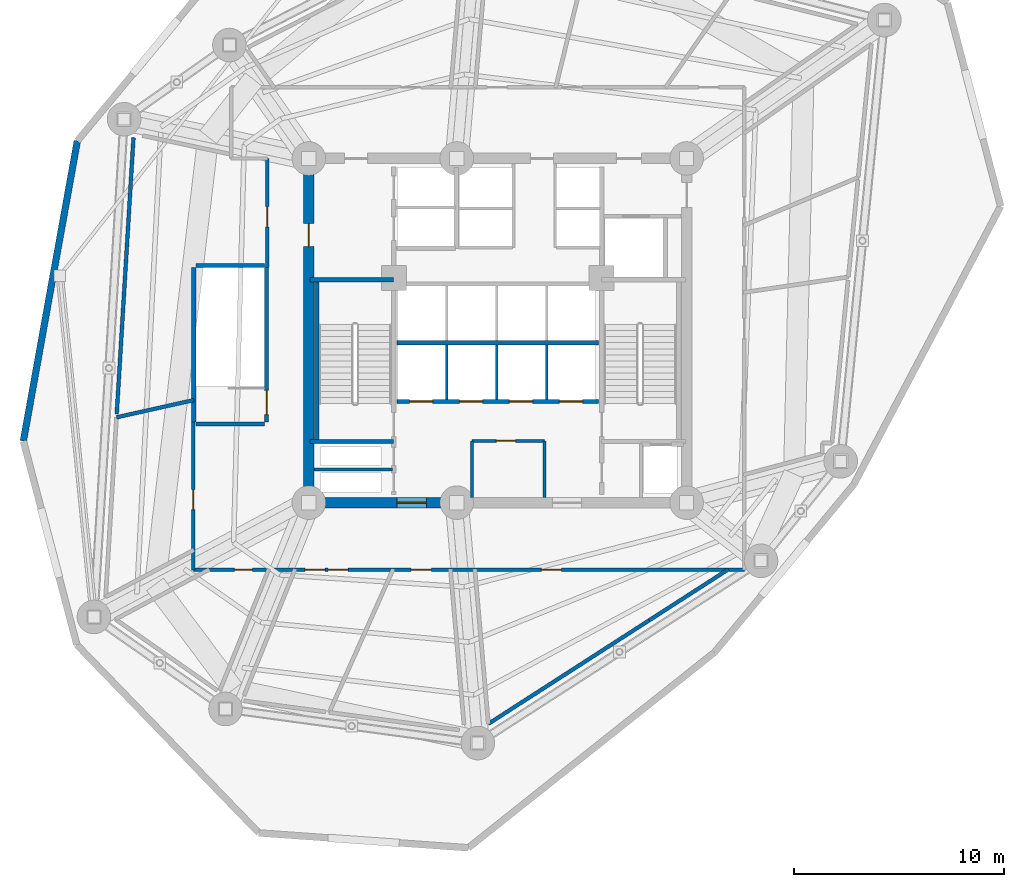
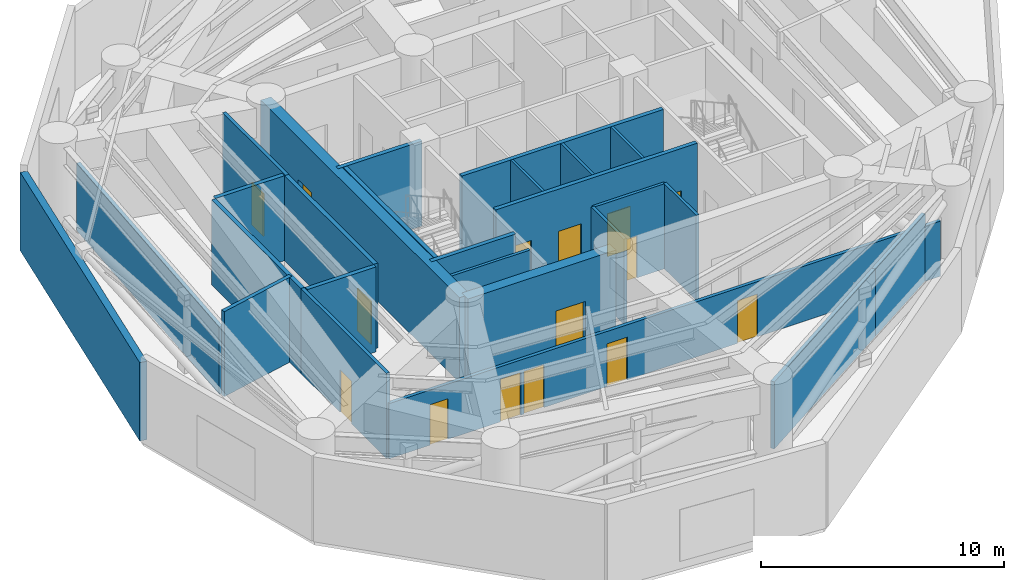
# One storey, part 7 of 13: 26 walls, 15 doors, 15 openings.
"""IFC4 building model written with IfcOpenShell, lengths in metres."""

from ifc_helpers import new_model, si_unit, direction, frame, frame_2d, origin, origin_with_axes, place, context, subcontext, project, spatial, rectangle, extrude, source, transform, mapped, material, layer, layer_set, type_object, element, fill, save


model = new_model("IFC4")

# Units and contexts
model_context = context("Model", 3, precision=1e-05, world=origin(), true_north=direction((0.0, 1.0)))
body_context = subcontext(model_context, "Body", "Model", "MODEL_VIEW")
ifc_project = project(units=[si_unit("LENGTHUNIT", "METRE"), si_unit("AREAUNIT", "SQUARE_METRE"), si_unit("VOLUMEUNIT", "CUBIC_METRE"), si_unit("PLANEANGLEUNIT", "RADIAN"), si_unit("MASSUNIT", "GRAM", prefix="KILO")], contexts=[model_context])

# Site, building, storey
site_placement = place(None, origin())
site = spatial("IfcSite", under=ifc_project, at=site_placement, CompositionType="ELEMENT")
building_placement = place(site_placement, origin())
building = spatial("IfcBuilding", under=site, at=building_placement, Name="Karkom Vertical University and Central Library", CompositionType="ELEMENT")
storey_placement = place(building_placement, frame((0.0, 0.0, 87.699951171875)))
storey = spatial("IfcBuildingStorey", under=building, at=storey_placement, Name="P23", CompositionType="ELEMENT", Elevation=87.699951171875)

# Wall
ifc_material_1 = material(Name="Brick-faced precast concrete C45/55", Category="masonry")
ifc_layer_1 = layer(ifc_material_1, 0.320068359375)
ifc_layer_set_1 = layer_set([ifc_layer_1], Name="Brick-faced precast concrete C45/55")
wall_type_1 = type_object("IfcWallType", Name="ENV-WL-BRK-320", PredefinedType="SOLIDWALL", material=ifc_layer_set_1)
wall_1_placement = place(storey_placement, frame((8.46826171875, 35.5419921875, 0.0), z_axis=(0.0, 0.0, 1.0), x_axis=(-0.177029052054, -0.984205626243, 0.0)))
element("IfcWall", 1, at=wall_1_placement, inside=storey, type_object=wall_type_1, Name="Plant Level 23 Brick-Faced Precast Facade Wall 02", PredefinedType="SOLIDWALL", context=body_context, shape_type="SweptSolid", body=[
    extrude(rectangle(XDim=14.53857421875, YDim=0.320068359375, at=frame_2d((7.269287109375, 0.0))), origin(), (0.0, 0.0, 1.0), 3.945068359375),
])

# Wall, openings, doors
ifc_material_2 = material(Name="Insulated metal-stud drywall 160mm", Category="gypsum")
ifc_layer_2 = layer(ifc_material_2, 0.159912109375)
ifc_layer_set_2 = layer_set([ifc_layer_2], Name="Insulated metal-stud drywall 160mm")
wall_type_2 = type_object("IfcWallType", Name="INT-WL-COR-160F", PredefinedType="PARTITIONING", material=ifc_layer_set_2)
wall_2_placement = place(storey_placement, frame((40.25, 15.10009765625, 0.0), z_axis=(0.0, 0.0, 1.0), x_axis=(-1.0, 0.0, 0.0)))
wall_2 = element("IfcWall", 2, at=wall_2_placement, inside=storey, type_object=wall_type_2, Name="Plant Level 23 Interior Partition Wall P23-PCORW-CW-001", PredefinedType="PARTITIONING", context=body_context, shape_type="SweptSolid", body=[
    extrude(rectangle(XDim=26.25, YDim=0.159912109375, at=frame_2d((13.125, 0.0))), origin(), (0.0, 0.0, 1.0), 2.775146484375),
])
opening_1_placement = place(wall_2_placement, frame((8.71240234375, 0.0, 0.0)))
opening_1 = element("IfcOpeningElement", 3, at=opening_1_placement, cuts=wall_2, Name="Opening FD-RM1", PredefinedType="OPENING", context=body_context, shape_type="SweptSolid", body=[
    extrude(rectangle(XDim=0.9599609375, YDim=2.14990234375, at=frame_2d((0.47998046875, 1.074951171875))), frame((0.0, 0.08984375, 0.0), z_axis=(0.0, -1.0, 0.0), x_axis=(1.0, 0.0, 0.0)), (0.0, 0.0, 1.0), 0.179931640625),
])
opening_2_placement = place(wall_2_placement, frame((19.97705078125, 0.0, 0.0)))
opening_2 = element("IfcOpeningElement", 4, at=opening_2_placement, cuts=wall_2, Name="Opening FD-RM1", PredefinedType="OPENING", context=body_context, shape_type="SweptSolid", body=[
    extrude(rectangle(XDim=0.9599609375, YDim=2.14990234375, at=frame_2d((0.47998046875, 1.074951171875))), frame((0.0, 0.08984375, 0.0), z_axis=(0.0, -1.0, 0.0), x_axis=(1.0, 0.0, 0.0)), (0.0, 0.0, 1.0), 0.179931640625),
])
opening_3_placement = place(wall_2_placement, frame((18.87255859375, 0.0, 0.0)))
opening_3 = element("IfcOpeningElement", 5, at=opening_3_placement, cuts=wall_2, Name="Opening FD-RM1", PredefinedType="OPENING", context=body_context, shape_type="SweptSolid", body=[
    extrude(rectangle(XDim=0.9599609375, YDim=2.14990234375, at=frame_2d((0.47998046875, 1.074951171875))), frame((0.0, 0.08984375, 0.0), z_axis=(0.0, -1.0, 0.0), x_axis=(1.0, 0.0, 0.0)), (0.0, 0.0, 1.0), 0.179931640625),
])
opening_4_placement = place(wall_2_placement, frame((14.914306640625, 0.0, 0.0)))
opening_4 = element("IfcOpeningElement", 6, at=opening_4_placement, cuts=wall_2, Name="Opening FD-RM1", PredefinedType="OPENING", context=body_context, shape_type="SweptSolid", body=[
    extrude(rectangle(XDim=0.9599609375, YDim=2.14990234375, at=frame_2d((0.47998046875, 1.074951171875))), frame((0.0, 0.08984375, 0.0), z_axis=(0.0, -1.0, 0.0), x_axis=(1.0, 0.0, 0.0)), (0.0, 0.0, 1.0), 0.179931640625),
])
opening_5_placement = place(wall_2_placement, frame((23.4404296875, 0.0, 0.0)))
opening_5 = element("IfcOpeningElement", 7, at=opening_5_placement, cuts=wall_2, Name="Opening FD-BTH2", PredefinedType="OPENING", context=body_context, shape_type="SweptSolid", body=[
    extrude(rectangle(XDim=0.860107421875, YDim=2.0400390625, at=frame_2d((0.43017578125, 1.02001953125))), frame((0.0, 0.08984375, 0.0), z_axis=(0.0, -1.0, 0.0), x_axis=(1.0, 0.0, 0.0)), (0.0, 0.0, 1.0), 0.179931640625),
])
ifc_material_3 = material(Name="Fire-rated oak veneer door", Category="wood")
door_type_1 = type_object("IfcDoorType", Name="INT-DR-FRM1", OperationType="NOTDEFINED", PredefinedType="DOOR", material=ifc_material_3)
shared_shape_1 = source(origin_with_axes(), body_context, "Body", "SweptSolid", [
    extrude(rectangle(XDim=0.9599609375, YDim=2.14990234375, at=frame_2d((0.47998046875, 1.074951171875))), frame((0.0, 0.02490234375, 0.0), z_axis=(0.0, -1.0, 0.0), x_axis=(1.0, 0.0, 0.0)), (0.0, 0.0, 1.0), 0.050048828125),
])
door_1_placement = place(opening_1_placement, origin())
door_1 = element("IfcDoor", 8, at=door_1_placement, inside=storey, type_object=door_type_1, Name="Plant Level 23 Room Entry Door 704", OperationType="SINGLE_SWING_LEFT", OverallHeight=2.14990234375, OverallWidth=0.9599609375, PredefinedType="DOOR", context=body_context, shape_type="MappedRepresentation", body=[
    mapped(shared_shape_1, transform((0.0, 0.0, 0.0), scale=1.0)),
])
fill(opening_1, door_1)
door_2_placement = place(opening_2_placement, origin())
door_2 = element("IfcDoor", 9, at=door_2_placement, inside=storey, type_object=door_type_1, Name="Plant Level 23 Room Entry Door 701", OperationType="SINGLE_SWING_LEFT", OverallHeight=2.14990234375, OverallWidth=0.9599609375, PredefinedType="DOOR", context=body_context, shape_type="MappedRepresentation", body=[
    mapped(shared_shape_1, transform((0.0, 0.0, 0.0), scale=1.0)),
])
fill(opening_2, door_2)
door_3_placement = place(opening_3_placement, origin())
door_3 = element("IfcDoor", 10, at=door_3_placement, inside=storey, type_object=door_type_1, Name="Plant Level 23 Room Entry Door 702", OperationType="SINGLE_SWING_RIGHT", OverallHeight=2.14990234375, OverallWidth=0.9599609375, PredefinedType="DOOR", context=body_context, shape_type="MappedRepresentation", body=[
    mapped(shared_shape_1, transform((0.0, 0.0, 0.0), scale=1.0)),
])
fill(opening_3, door_3)
door_4_placement = place(opening_4_placement, origin())
door_4 = element("IfcDoor", 11, at=door_4_placement, inside=storey, type_object=door_type_1, Name="Plant Level 23 Room Entry Door 703", OperationType="SINGLE_SWING_LEFT", OverallHeight=2.14990234375, OverallWidth=0.9599609375, PredefinedType="DOOR", context=body_context, shape_type="MappedRepresentation", body=[
    mapped(shared_shape_1, transform((0.0, 0.0, 0.0), scale=1.0)),
])
fill(opening_4, door_4)
ifc_material_4 = material(Name="Fire-rated moisture-resistant oak door", Category="wood")
door_type_2 = type_object("IfcDoorType", Name="INT-DR-FBTH2", OperationType="NOTDEFINED", PredefinedType="DOOR", material=ifc_material_4)
shared_shape_2 = source(origin_with_axes(), body_context, "Body", "SweptSolid", [
    extrude(rectangle(XDim=0.860107421875, YDim=2.0400390625, at=frame_2d((0.43017578125, 1.02001953125))), frame((0.0, 0.02490234375, 0.0), z_axis=(0.0, -1.0, 0.0), x_axis=(1.0, 0.0, 0.0)), (0.0, 0.0, 1.0), 0.050048828125),
])
door_5_placement = place(opening_5_placement, origin())
door_5 = element("IfcDoor", 12, at=door_5_placement, inside=storey, type_object=door_type_2, Name="Plant Level 23 Air Handling Unit Plant Room Entry Door", OperationType="SINGLE_SWING_RIGHT", OverallHeight=2.0400390625, OverallWidth=0.860107421875, PredefinedType="DOOR", context=body_context, shape_type="MappedRepresentation", body=[
    mapped(shared_shape_2, transform((0.0, 0.0, 0.0), scale=1.0)),
])
fill(opening_5, door_5)

# Wall, opening, door
wall_3_placement = place(storey_placement, frame((14.0, 15.10009765625, 0.0), z_axis=(0.0, 0.0, 1.0), x_axis=(0.0, 1.0, 0.0)))
wall_3 = element("IfcWall", 13, at=wall_3_placement, inside=storey, type_object=wall_type_2, Name="Plant Level 23 Interior Partition Wall P23-PCORW-CW-002", PredefinedType="PARTITIONING", context=body_context, shape_type="SweptSolid", body=[
    extrude(rectangle(XDim=7.044921875, YDim=0.159912109375, at=frame_2d((3.5224609375, 0.0))), origin(), (0.0, 0.0, 1.0), 4.275146484375),
])
opening_6_placement = place(wall_3_placement, frame((2.864990234375, 0.0, 0.0)))
opening_6 = element("IfcOpeningElement", 14, at=opening_6_placement, cuts=wall_3, Name="Opening FD-RM1", PredefinedType="OPENING", context=body_context, shape_type="SweptSolid", body=[
    extrude(rectangle(XDim=0.9599609375, YDim=2.14990234375, at=frame_2d((0.47998046875, 1.074951171875))), frame((0.0, 0.08984375, 0.0), z_axis=(0.0, -1.0, 0.0), x_axis=(1.0, 0.0, 0.0)), (0.0, 0.0, 1.0), 0.179931640625),
])
door_6_placement = place(opening_6_placement, origin())
door_6 = element("IfcDoor", 15, at=door_6_placement, inside=storey, type_object=door_type_1, Name="Plant Level 23 Room Entry Door 700", OperationType="SINGLE_SWING_RIGHT", OverallHeight=2.14990234375, OverallWidth=0.9599609375, PredefinedType="DOOR", context=body_context, shape_type="MappedRepresentation", body=[
    mapped(shared_shape_1, transform((0.0, 0.0, 0.0), scale=1.0)),
])
fill(opening_6, door_6)

wall_4_placement = place(storey_placement, frame((17.52001953125, 29.5048828125, 0.0), z_axis=(0.0, 0.0, 1.0), x_axis=(0.0, 1.0, 0.0)))
wall_4 = element("IfcWall", 16, at=wall_4_placement, inside=storey, type_object=wall_type_2, Name="Plant Level 23 Interior Partition Wall P23-PCORW-CW-003", PredefinedType="PARTITIONING", context=body_context, shape_type="SweptSolid", body=[
    extrude(rectangle(XDim=5.195068359375, YDim=0.159912109375, at=frame_2d((2.59765625, 0.0))), origin(), (0.0, 0.0, 1.0), 4.275146484375),
])
opening_7_placement = place(wall_4_placement, frame((1.93994140625, 0.0, 0.0)))
opening_7 = element("IfcOpeningElement", 17, at=opening_7_placement, cuts=wall_4, Name="Opening FD-RM1", PredefinedType="OPENING", context=body_context, shape_type="SweptSolid", body=[
    extrude(rectangle(XDim=0.9599609375, YDim=2.14990234375, at=frame_2d((0.47998046875, 1.074951171875))), frame((0.0, 0.08984375, 0.0), z_axis=(0.0, -1.0, 0.0), x_axis=(1.0, 0.0, 0.0)), (0.0, 0.0, 1.0), 0.179931640625),
])
door_7_placement = place(opening_7_placement, origin())
door_7 = element("IfcDoor", 18, at=door_7_placement, inside=storey, type_object=door_type_1, Name="Plant Level 23 Room Entry Door 712", OperationType="SINGLE_SWING_LEFT", OverallHeight=2.14990234375, OverallWidth=0.9599609375, PredefinedType="DOOR", context=body_context, shape_type="MappedRepresentation", body=[
    mapped(shared_shape_1, transform((0.0, 0.0, 0.0), scale=1.0)),
])
fill(opening_7, door_7)

# Walls
ifc_material_5 = material(Name="Moisture-resistant drywall 120mm", Category="gypsum")
ifc_layer_3 = layer(ifc_material_5, 0.1201171875)
ifc_layer_set_3 = layer_set([ifc_layer_3], Name="Moisture-resistant drywall 120mm")
wall_type_3 = type_object("IfcWallType", Name="INT-WL-INT-120H", PredefinedType="PARTITIONING", material=ifc_layer_set_3)
for number, where, z_axis, x_axis, name in (
    (19, (26.080078125, 23.219970703125, 0.0), (0.0, 0.0, 1.0), (0.0, 1.0, 0.0), "Plant Level 23 Interior Partition Wall P23-CW-PL-DIV1"),
    (20, (28.4599609375, 23.219970703125, 0.0), (0.0, 0.0, 1.0), (0.0, 1.0, 0.0), "Plant Level 23 Interior Partition Wall P23-CW-PL-DIV2"),
    (21, (30.840087890625, 23.219970703125, 0.0), (0.0, 0.0, 1.0), (0.0, 1.0, 0.0), "Plant Level 23 Interior Partition Wall P23-CW-PL-DIV3"),
):
    element("IfcWall", number, at=place(storey_placement, frame(where, z_axis=z_axis, x_axis=x_axis)), inside=storey, type_object=wall_type_3, Name=name, PredefinedType="PARTITIONING", context=body_context, shape_type="SweptSolid", body=[
        extrude(rectangle(XDim=2.60009765625, YDim=0.1201171875, at=frame_2d((1.300048828125, 0.0))), origin(), (0.0, 0.0, 1.0), 4.275146484375),
    ])

# Wall, opening, door
ifc_material_6 = material(Name="Metal-stud gypsum partition 140mm", Category="gypsum")
ifc_layer_4 = layer(ifc_material_6, 0.139892578125)
ifc_layer_set_4 = layer_set([ifc_layer_4], Name="Metal-stud gypsum partition 140mm")
wall_type_4 = type_object("IfcWallType", Name="INT-WL-SUB-140", PredefinedType="PARTITIONING", material=ifc_layer_set_4)
wall_5_placement = place(storey_placement, frame((27.280029296875, 21.239990234375, 0.0), z_axis=(0.0, 0.0, 1.0), x_axis=(1.0, 0.0, 0.0)))
wall_5 = element("IfcWall", 22, at=wall_5_placement, inside=storey, type_object=wall_type_4, Name="Plant Level 23 Interior Partition Wall P23-CW-KBAY-N", PredefinedType="PARTITIONING", context=body_context, shape_type="SweptSolid", body=[
    extrude(rectangle(XDim=3.43994140625, YDim=0.139892578125, at=frame_2d((1.719970703125, 0.0))), origin(), (0.0, 0.0, 1.0), 4.275146484375),
])
opening_8_placement = place(wall_5_placement, frame((1.14990234375, 0.0, 0.0)))
opening_8 = element("IfcOpeningElement", 23, at=opening_8_placement, cuts=wall_5, Name="Opening D-SVC1", PredefinedType="OPENING", context=body_context, shape_type="SweptSolid", body=[
    extrude(rectangle(XDim=0.919921875, YDim=2.10009765625, at=frame_2d((0.4599609375, 1.050048828125))), frame((0.0, 0.080078125, 0.0), z_axis=(0.0, -1.0, 0.0), x_axis=(1.0, 0.0, 0.0)), (0.0, 0.0, 1.0), 0.159912109375),
])
ifc_material_7 = material(Name="Painted timber service door", Category="wood")
door_type_3 = type_object("IfcDoorType", Name="INT-DR-SVC1", OperationType="NOTDEFINED", PredefinedType="DOOR", material=ifc_material_7)
shared_shape_3 = source(origin_with_axes(), body_context, "Body", "SweptSolid", [
    extrude(rectangle(XDim=0.919921875, YDim=2.10009765625, at=frame_2d((0.4599609375, 1.050048828125))), frame((0.0, 0.02490234375, 0.0), z_axis=(0.0, -1.0, 0.0), x_axis=(1.0, 0.0, 0.0)), (0.0, 0.0, 1.0), 0.050048828125),
])
door_8_placement = place(opening_8_placement, origin())
door_8 = element("IfcDoor", 24, at=door_8_placement, inside=storey, type_object=door_type_3, Name="Plant Level 23 Comms Room Door", OperationType="SINGLE_SWING_RIGHT", OverallHeight=2.10009765625, OverallWidth=0.919921875, PredefinedType="DOOR", context=body_context, shape_type="MappedRepresentation", body=[
    mapped(shared_shape_3, transform((0.0, 0.0, 0.0), scale=1.0)),
])
fill(opening_8, door_8)

# Walls
for number, where, z_axis, x_axis, name in (
    (25, (27.280029296875, 18.550048828125, 0.0), (0.0, 0.0, 1.0), (0.0, 1.0, 0.0), "Plant Level 23 Interior Partition Wall P23-CW-KBAY-W"),
    (26, (30.719970703125, 18.550048828125, 0.0), (0.0, 0.0, 1.0), (0.0, 1.0, 0.0), "Plant Level 23 Interior Partition Wall P23-CW-KBAY-E"),
):
    element("IfcWall", number, at=place(storey_placement, frame(where, z_axis=z_axis, x_axis=x_axis)), inside=storey, type_object=wall_type_4, Name=name, PredefinedType="PARTITIONING", context=body_context, shape_type="SweptSolid", body=[
        extrude(rectangle(XDim=2.68994140625, YDim=0.139892578125, at=frame_2d((1.344970703125, 0.0))), origin(), (0.0, 0.0, 1.0), 4.275146484375),
    ])
ifc_layer_5 = layer(ifc_material_6, 0.139892578125)
ifc_layer_set_5 = layer_set([ifc_layer_5], Name="Metal-stud gypsum partition 140mm")
wall_type_5 = type_object("IfcWallType", Name="INT-WL-SUB-140H", PredefinedType="PARTITIONING", material=ifc_layer_set_5)
wall_6_placement = place(storey_placement, frame((19.757080078125, 19.889892578125, 0.0), z_axis=(0.0, 0.0, 1.0), x_axis=(1.0, 0.0, 0.0)))
element("IfcWall", 27, at=wall_6_placement, inside=storey, type_object=wall_type_5, Name="Plant Level 23 Interior Partition Wall P23-CW-RIS-W", PredefinedType="PARTITIONING", context=body_context, shape_type="SweptSolid", body=[
    extrude(rectangle(XDim=3.7392578125, YDim=0.139892578125, at=frame_2d((1.86962890625, 0.0))), origin(), (0.0, 0.0, 1.0), 4.275146484375),
])
ifc_material_8 = material(Name="Twin-stud acoustic drywall 180mm", Category="gypsum")
ifc_layer_6 = layer(ifc_material_8, 0.179931640625)
ifc_layer_set_6 = layer_set([ifc_layer_6], Name="Twin-stud acoustic drywall 180mm")
wall_type_6 = type_object("IfcWallType", Name="INT-WL-TEN-180F", PredefinedType="PARTITIONING", material=ifc_layer_set_6)
wall_7_placement = place(storey_placement, frame((10.34619140625, 22.5322265625, 0.0), z_axis=(0.0, 0.0, 1.0), x_axis=(0.060558802641, 0.998164631422, 0.0)))
element("IfcWall", 28, at=wall_7_placement, inside=storey, type_object=wall_type_6, Name="Plant Level 23 Interior Partition Wall P23-PLCHW-040", PredefinedType="PARTITIONING", context=body_context, shape_type="SweptSolid", body=[
    extrude(rectangle(XDim=13.182861328125, YDim=0.179931640625, at=frame_2d((6.59130859375, 0.0))), origin(), (0.0, 0.0, 1.0), 3.375),
])
wall_8_placement = place(storey_placement, frame((35.715087890625, 12.693115234375, 0.0), z_axis=(0.0, 0.0, 1.0), x_axis=(-0.840859678973, -0.541253175767, 0.0)))
element("IfcWall", 29, at=wall_8_placement, inside=storey, type_object=wall_type_6, Name="Plant Level 23 Interior Partition Wall P23-PLCHW-014", PredefinedType="PARTITIONING", context=body_context, shape_type="SweptSolid", body=[
    extrude(rectangle(XDim=9.111083984375, YDim=0.179931640625, at=frame_2d((4.5556640625, 0.0))), origin(), (0.0, 0.0, 1.0), 3.375),
])
wall_9_placement = place(storey_placement, frame((39.491943359375, 15.124267578125, 0.0), z_axis=(0.0, 0.0, 1.0), x_axis=(-0.840856911957, -0.541257474419, 0.0)))
element("IfcWall", 30, at=wall_9_placement, inside=storey, type_object=wall_type_6, Name="Plant Level 23 Interior Partition Wall P23-PLCHW-013", PredefinedType="PARTITIONING", context=body_context, shape_type="SweptSolid", body=[
    extrude(rectangle(XDim=4.49169921875, YDim=0.179931640625, at=frame_2d((2.245849609375, 0.0))), origin(), (0.0, 0.0, 1.0), 3.375),
])
wall_10_placement = place(storey_placement, frame((10.336181640625, 22.365966796875, 0.0), z_axis=(0.0, 0.0, 1.0), x_axis=(0.976004273592, 0.21775136723, 0.0)))
element("IfcWall", 31, at=wall_10_placement, inside=storey, type_object=wall_type_6, Name="Plant Level 23 Interior Partition Wall P23-PLCHW-003", PredefinedType="PARTITIONING", context=body_context, shape_type="SweptSolid", body=[
    extrude(rectangle(XDim=3.7783203125, YDim=0.179931640625, at=frame_2d((1.88916015625, 0.0))), origin(), (0.0, 0.0, 1.0), 4.275146484375),
])

# Wall, opening, door
ifc_material_9 = material(Name="Concrete C50/60", Category="concrete")
ifc_layer_7 = layer(ifc_material_9, 0.5)
ifc_layer_set_7 = layer_set([ifc_layer_7], Name="Concrete C50/60")
wall_type_7 = type_object("IfcWallType", Name="STR-WL-CW-500", PredefinedType="SHEAR", material=ifc_layer_set_7)
wall_11_placement = place(storey_placement, frame((19.5, 18.300048828125, 0.0), z_axis=(0.0, 0.0, 1.0), x_axis=(1.0, 0.0, 0.0)))
wall_11 = element("IfcWall", 32, at=wall_11_placement, inside=storey, type_object=wall_type_7, Name="Plant Level 23 Central Core Shear Wall SW1", PredefinedType="SHEAR", context=body_context, shape_type="SweptSolid", body=[
    extrude(rectangle(XDim=7.050048828125, YDim=0.5, at=frame_2d((3.52490234375, 0.0))), origin(), (0.0, 0.0, 1.0), 4.275146484375),
])
opening_9_placement = place(wall_11_placement, frame((4.199951171875, 0.0, 0.0)))
opening_9 = element("IfcOpeningElement", 33, at=opening_9_placement, cuts=wall_11, Name="Opening FD-CLB", PredefinedType="OPENING", context=body_context, shape_type="SweptSolid", body=[
    extrude(rectangle(XDim=1.39990234375, YDim=2.199951171875, at=frame_2d((0.699951171875, 1.10009765625))), frame((0.0, 0.260009765625, 0.0), z_axis=(0.0, -1.0, 0.0), x_axis=(1.0, 0.0, 0.0)), (0.0, 0.0, 1.0), 0.52001953125),
])
ifc_material_10 = material(Name="Painted steel fire door", Category="steel")
door_type_4 = type_object("IfcDoorType", Name="INT-DR-CLB", OperationType="DOUBLE_DOOR_SINGLE_SWING", PredefinedType="DOOR", material=ifc_material_10)
shared_shape_4 = source(origin_with_axes(), body_context, "Body", "SweptSolid", [
    extrude(rectangle(XDim=1.39990234375, YDim=2.199951171875, at=frame_2d((0.699951171875, 1.10009765625))), frame((0.0, 0.02490234375, 0.0), z_axis=(0.0, -1.0, 0.0), x_axis=(1.0, 0.0, 0.0)), (0.0, 0.0, 1.0), 0.050048828125),
])
door_9_placement = place(opening_9_placement, origin())
door_9 = element("IfcDoor", 34, at=door_9_placement, inside=storey, type_object=door_type_4, Name="Plant Level 23 South Core Lobby West Exit Door", OperationType="DOUBLE_DOOR_SINGLE_SWING", OverallHeight=2.199951171875, OverallWidth=1.39990234375, PredefinedType="DOOR", context=body_context, shape_type="MappedRepresentation", body=[
    mapped(shared_shape_4, transform((0.0, 0.0, 0.0), scale=1.0)),
])
fill(opening_9, door_9)

wall_12_placement = place(storey_placement, frame((19.5, 34.699951171875, 0.0), z_axis=(0.0, 0.0, 1.0), x_axis=(0.0, -1.0, 0.0)))
wall_12 = element("IfcWall", 35, at=wall_12_placement, inside=storey, type_object=wall_type_7, Name="Plant Level 23 Central Core Shear Wall WW", PredefinedType="SHEAR", context=body_context, shape_type="SweptSolid", body=[
    extrude(rectangle(XDim=16.39990234375, YDim=0.5, at=frame_2d((8.199951171875, 0.0))), origin(), (0.0, 0.0, 1.0), 4.275146484375),
])
opening_10_placement = place(wall_12_placement, frame((3.10009765625, 0.0, 0.0)))
opening_10 = element("IfcOpeningElement", 36, at=opening_10_placement, cuts=wall_12, Name="Opening FD-FFL", PredefinedType="OPENING", context=body_context, shape_type="SweptSolid", body=[
    extrude(rectangle(XDim=1.10009765625, YDim=2.14990234375, at=frame_2d((0.550048828125, 1.074951171875))), frame((0.0, 0.260009765625, 0.0), z_axis=(0.0, -1.0, 0.0), x_axis=(1.0, 0.0, 0.0)), (0.0, 0.0, 1.0), 0.52001953125),
])
ifc_material_11 = material(Name="Painted steel smoke-seal fire door", Category="steel")
door_type_5 = type_object("IfcDoorType", Name="INT-DR-FFL", OperationType="NOTDEFINED", PredefinedType="DOOR", material=ifc_material_11)
shared_shape_5 = source(origin_with_axes(), body_context, "Body", "SweptSolid", [
    extrude(rectangle(XDim=1.10009765625, YDim=2.14990234375, at=frame_2d((0.550048828125, 1.074951171875))), frame((0.0, 0.02490234375, 0.0), z_axis=(0.0, -1.0, 0.0), x_axis=(1.0, 0.0, 0.0)), (0.0, 0.0, 1.0), 0.050048828125),
])
door_10_placement = place(opening_10_placement, origin())
door_10 = element("IfcDoor", 37, at=door_10_placement, inside=storey, type_object=door_type_5, Name="Plant Level 23 West Corridor Firefighting Lobby Door", OperationType="SINGLE_SWING_RIGHT", OverallHeight=2.14990234375, OverallWidth=1.10009765625, PredefinedType="DOOR", context=body_context, shape_type="MappedRepresentation", body=[
    mapped(shared_shape_5, transform((0.0, 0.0, 0.0), scale=1.0)),
])
fill(opening_10, door_10)

# Wall, openings, doors
ifc_material_12 = material(Name="Concrete C45/55", Category="concrete")
ifc_layer_8 = layer(ifc_material_12, 0.199951171875)
ifc_layer_set_8 = layer_set([ifc_layer_8], Name="Concrete C45/55")
wall_type_8 = type_object("IfcWallType", Name="STR-WL-ST-200", PredefinedType="SHEAR", material=ifc_layer_set_8)
wall_13_placement = place(storey_placement, frame((23.699951171875, 23.1201171875, 0.0), z_axis=(0.0, 0.0, 1.0), x_axis=(1.0, 0.0, 0.0)))
wall_13 = element("IfcWall", 38, at=wall_13_placement, inside=storey, type_object=wall_type_8, Name="Plant Level 23 Core Shaft Wall P23-CW-B1-S", PredefinedType="SHEAR", context=body_context, shape_type="SweptSolid", body=[
    extrude(rectangle(XDim=9.60009765625, YDim=0.199951171875, at=frame_2d((4.800048828125, 0.0))), origin(), (0.0, 0.0, 1.0), 4.275146484375),
])
opening_11_placement = place(wall_13_placement, frame((0.60009765625, 0.0, 0.0)))
opening_11 = element("IfcOpeningElement", 39, at=opening_11_placement, cuts=wall_13, Name="Opening LD-PAX", PredefinedType="OPENING", context=body_context, shape_type="SweptSolid", body=[
    extrude(rectangle(XDim=1.10009765625, YDim=2.14990234375, at=frame_2d((0.550048828125, 1.074951171875))), frame((0.0, 0.10986328125, 0.0), z_axis=(0.0, -1.0, 0.0), x_axis=(1.0, 0.0, 0.0)), (0.0, 0.0, 1.0), 0.219970703125),
])
opening_12_placement = place(wall_13_placement, frame((2.97998046875, 0.0, 0.0)))
opening_12 = element("IfcOpeningElement", 40, at=opening_12_placement, cuts=wall_13, Name="Opening LD-PAX", PredefinedType="OPENING", context=body_context, shape_type="SweptSolid", body=[
    extrude(rectangle(XDim=1.10009765625, YDim=2.14990234375, at=frame_2d((0.550048828125, 1.074951171875))), frame((0.0, 0.10986328125, 0.0), z_axis=(0.0, -1.0, 0.0), x_axis=(1.0, 0.0, 0.0)), (0.0, 0.0, 1.0), 0.219970703125),
])
opening_13_placement = place(wall_13_placement, frame((5.360107421875, 0.0, 0.0)))
opening_13 = element("IfcOpeningElement", 41, at=opening_13_placement, cuts=wall_13, Name="Opening LD-PAX", PredefinedType="OPENING", context=body_context, shape_type="SweptSolid", body=[
    extrude(rectangle(XDim=1.10009765625, YDim=2.14990234375, at=frame_2d((0.550048828125, 1.074951171875))), frame((0.0, 0.10986328125, 0.0), z_axis=(0.0, -1.0, 0.0), x_axis=(1.0, 0.0, 0.0)), (0.0, 0.0, 1.0), 0.219970703125),
])
opening_14_placement = place(wall_13_placement, frame((7.739990234375, 0.0, 0.0)))
opening_14 = element("IfcOpeningElement", 42, at=opening_14_placement, cuts=wall_13, Name="Opening LD-PAX", PredefinedType="OPENING", context=body_context, shape_type="SweptSolid", body=[
    extrude(rectangle(XDim=1.10009765625, YDim=2.14990234375, at=frame_2d((0.550048828125, 1.074951171875))), frame((0.0, 0.10986328125, 0.0), z_axis=(0.0, -1.0, 0.0), x_axis=(1.0, 0.0, 0.0)), (0.0, 0.0, 1.0), 0.219970703125),
])
ifc_material_13 = material(Name="Brushed stainless-steel landing door", Category="steel")
door_type_6 = type_object("IfcDoorType", Name="INT-DR-LD-PAX", OperationType="SLIDING_TO_LEFT", PredefinedType="DOOR", material=ifc_material_13)
door_11_placement = place(opening_11_placement, origin())
door_11 = element("IfcDoor", 43, at=door_11_placement, inside=storey, type_object=door_type_6, Name="Plant Level 23 Lift PL-1 Landing Door", OperationType="SLIDING_TO_LEFT", OverallHeight=2.14990234375, OverallWidth=1.10009765625, PredefinedType="DOOR", context=body_context, shape_type="MappedRepresentation", body=[
    mapped(shared_shape_5, transform((0.0, 0.0, 0.0), scale=1.0)),
])
fill(opening_11, door_11)
door_12_placement = place(opening_12_placement, origin())
door_12 = element("IfcDoor", 44, at=door_12_placement, inside=storey, type_object=door_type_6, Name="Plant Level 23 Lift PL-2 Landing Door", OperationType="SLIDING_TO_RIGHT", OverallHeight=2.14990234375, OverallWidth=1.10009765625, PredefinedType="DOOR", context=body_context, shape_type="MappedRepresentation", body=[
    mapped(shared_shape_5, transform((0.0, 0.0, 0.0), scale=1.0)),
])
fill(opening_12, door_12)
door_13_placement = place(opening_13_placement, origin())
door_13 = element("IfcDoor", 45, at=door_13_placement, inside=storey, type_object=door_type_6, Name="Plant Level 23 Lift PL-3 Landing Door", OperationType="SLIDING_TO_LEFT", OverallHeight=2.14990234375, OverallWidth=1.10009765625, PredefinedType="DOOR", context=body_context, shape_type="MappedRepresentation", body=[
    mapped(shared_shape_5, transform((0.0, 0.0, 0.0), scale=1.0)),
])
fill(opening_13, door_13)
door_14_placement = place(opening_14_placement, origin())
door_14 = element("IfcDoor", 46, at=door_14_placement, inside=storey, type_object=door_type_6, Name="Plant Level 23 Lift PL-4 Landing Door", OperationType="SLIDING_TO_RIGHT", OverallHeight=2.14990234375, OverallWidth=1.10009765625, PredefinedType="DOOR", context=body_context, shape_type="MappedRepresentation", body=[
    mapped(shared_shape_5, transform((0.0, 0.0, 0.0), scale=1.0)),
])
fill(opening_14, door_14)

# Walls
wall_14_placement = place(storey_placement, frame((23.699951171875, 25.919921875, 0.0), z_axis=(0.0, 0.0, 1.0), x_axis=(1.0, 0.0, 0.0)))
element("IfcWall", 47, at=wall_14_placement, inside=storey, type_object=wall_type_8, Name="Plant Level 23 Core Shaft Wall P23-CW-B1-N", PredefinedType="SHEAR", context=body_context, shape_type="SweptSolid", body=[
    extrude(rectangle(XDim=9.60009765625, YDim=0.199951171875, at=frame_2d((4.800048828125, 0.0))), origin(), (0.0, 0.0, 1.0), 4.275146484375),
])
wall_15_placement = place(storey_placement, frame((19.875, 21.320068359375, 0.0), z_axis=(0.0, 0.0, 1.0), x_axis=(0.0, 1.0, 0.0)))
element("IfcWall", 48, at=wall_15_placement, inside=storey, type_object=wall_type_8, Name="Plant Level 23 Core Shaft Wall P23-CW-ST1-W", PredefinedType="SHEAR", context=body_context, shape_type="SweptSolid", body=[
    extrude(rectangle(XDim=7.5, YDim=0.199951171875, at=frame_2d((3.75, 0.0))), origin(), (0.0, 0.0, 1.0), 4.275146484375),
])
wall_16_placement = place(storey_placement, frame((14.014892578125, 22.14990234375, 0.0), z_axis=(0.0, 0.0, 1.0), x_axis=(0.0, 1.0, 0.0)))
element("IfcWall", 49, at=wall_16_placement, inside=storey, type_object=wall_type_8, Name="Plant Level 23 Core Shaft Wall P23-W-ST3-W", PredefinedType="SHEAR", context=body_context, shape_type="SweptSolid", body=[
    extrude(rectangle(XDim=7.35009765625, YDim=0.199951171875, at=frame_2d((3.675048828125, 0.0))), origin(), (0.0, 0.0, 1.0), 4.275146484375),
])

# Wall, opening, door
wall_17_placement = place(storey_placement, frame((17.485107421875, 22.14990234375, 0.0), z_axis=(0.0, 0.0, 1.0), x_axis=(0.0, 1.0, 0.0)))
wall_17 = element("IfcWall", 50, at=wall_17_placement, inside=storey, type_object=wall_type_8, Name="Plant Level 23 Core Shaft Wall P23-W-ST3-E", PredefinedType="SHEAR", context=body_context, shape_type="SweptSolid", body=[
    extrude(rectangle(XDim=7.35009765625, YDim=0.199951171875, at=frame_2d((3.675048828125, 0.0))), origin(), (0.0, 0.0, 1.0), 4.275146484375),
])
opening_15_placement = place(wall_17_placement, frame((0.35009765625, 0.0, 0.0)))
opening_15 = element("IfcOpeningElement", 51, at=opening_15_placement, cuts=wall_17, Name="Opening FD-ST1", PredefinedType="OPENING", context=body_context, shape_type="SweptSolid", body=[
    extrude(rectangle(XDim=1.14990234375, YDim=2.14990234375, at=frame_2d((0.574951171875, 1.074951171875))), frame((0.0, 0.10986328125, 0.0), z_axis=(0.0, -1.0, 0.0), x_axis=(1.0, 0.0, 0.0)), (0.0, 0.0, 1.0), 0.219970703125),
])
ifc_material_14 = material(Name="Painted steel acoustic fire door", Category="steel")
door_type_7 = type_object("IfcDoorType", Name="INT-DR-ST1", OperationType="NOTDEFINED", PredefinedType="DOOR", material=ifc_material_14)
shared_shape_6 = source(origin_with_axes(), body_context, "Body", "SweptSolid", [
    extrude(rectangle(XDim=1.14990234375, YDim=2.14990234375, at=frame_2d((0.574951171875, 1.074951171875))), frame((0.0, 0.02490234375, 0.0), z_axis=(0.0, -1.0, 0.0), x_axis=(1.0, 0.0, 0.0)), (0.0, 0.0, 1.0), 0.050048828125),
])
door_15_placement = place(opening_15_placement, origin())
door_15 = element("IfcDoor", 52, at=door_15_placement, inside=storey, type_object=door_type_7, Name="Plant Level 23 Stair ST-3 Fire Door", OperationType="SINGLE_SWING_RIGHT", OverallHeight=2.14990234375, OverallWidth=1.14990234375, PredefinedType="DOOR", context=body_context, shape_type="MappedRepresentation", body=[
    mapped(shared_shape_6, transform((0.0, 0.0, 0.0), scale=1.0)),
])
fill(opening_15, door_15)

# Walls
for number, where, z_axis, x_axis, name in (
    (53, (19.550048828125, 21.215087890625, 0.0), (0.0, 0.0, 1.0), (1.0, 0.0, 0.0), "Plant Level 23 Core Shaft Wall P23-CW-ST1-S"),
    (54, (19.550048828125, 28.925048828125, 0.0), (0.0, 0.0, 1.0), (1.0, 0.0, 0.0), "Plant Level 23 Core Shaft Wall P23-CW-ST1-N"),
):
    element("IfcWall", number, at=place(storey_placement, frame(where, z_axis=z_axis, x_axis=x_axis)), inside=storey, type_object=wall_type_8, Name=name, PredefinedType="SHEAR", context=body_context, shape_type="SweptSolid", body=[
        extrude(rectangle(XDim=3.994873046875, YDim=0.199951171875, at=frame_2d((1.99755859375, 0.0))), origin(), (0.0, 0.0, 1.0), 4.275146484375),
    ])
for number, where, z_axis, x_axis, name in (
    (55, (14.1201171875, 22.044921875, 0.0), (0.0, 0.0, 1.0), (1.0, 0.0, 0.0), "Plant Level 23 Core Shaft Wall P23-W-ST3-S"),
    (56, (14.1201171875, 29.60498046875, 0.0), (0.0, 0.0, 1.0), (1.0, 0.0, 0.0), "Plant Level 23 Core Shaft Wall P23-W-ST3-N"),
):
    element("IfcWall", number, at=place(storey_placement, frame(where, z_axis=z_axis, x_axis=x_axis)), inside=storey, type_object=wall_type_8, Name=name, PredefinedType="SHEAR", context=body_context, shape_type="SweptSolid", body=[
        extrude(rectangle(XDim=3.259765625, YDim=0.199951171875, at=frame_2d((1.6298828125, 0.0))), origin(), (0.0, 0.0, 1.0), 4.275146484375),
    ])

save(model, "model.ifc")
